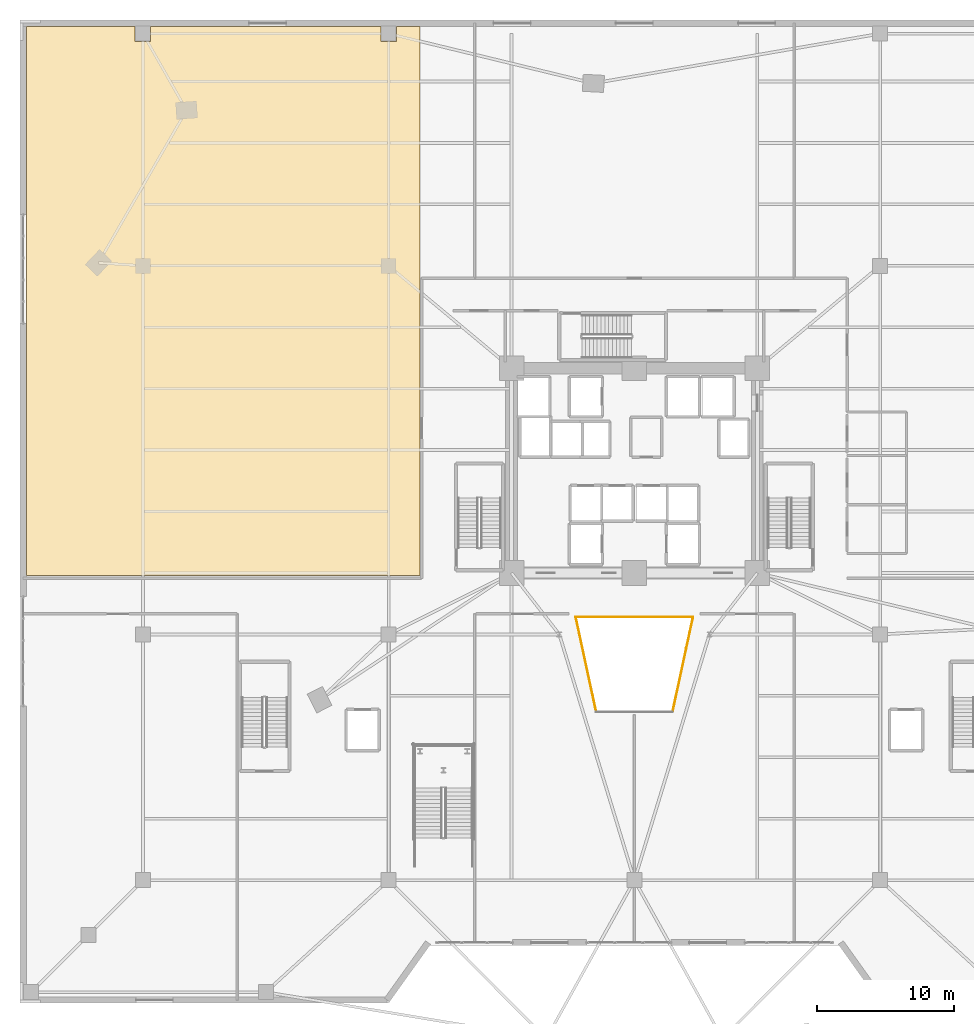
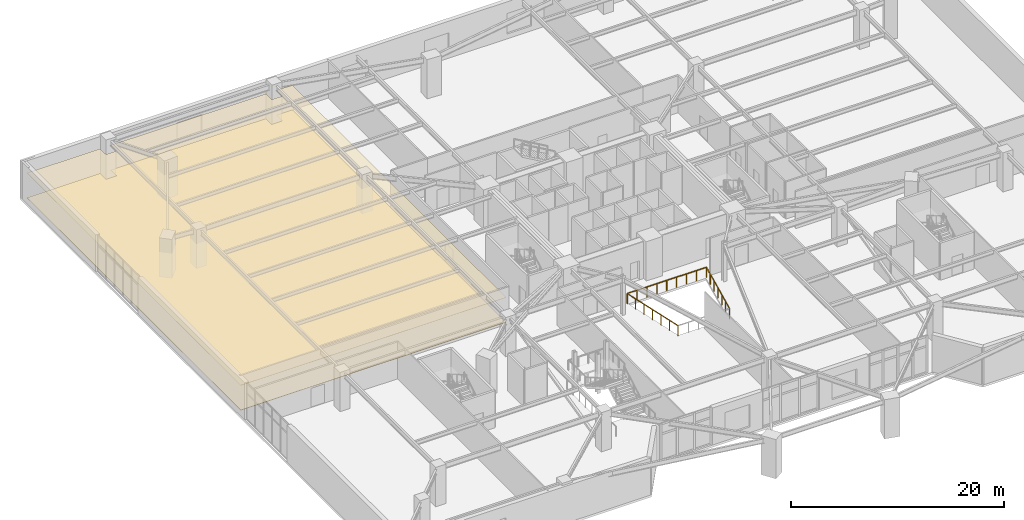
# One storey, part 26 of 29: 3 railings, 2 coverings.
"""IFC4 building model written with IfcOpenShell, lengths in metres."""

from ifc_helpers import new_model, si_unit, direction, frame, origin, origin_2d, place, context, subcontext, project, spatial, polyline, rectangle, outline, extrude, material, layer, layer_set, type_object, element, save


model = new_model("IFC4")

# Units and contexts
model_context = context("Model", 3, precision=1e-05, world=origin(), true_north=direction((0.0, 1.0)))
body_context = subcontext(model_context, "Body", "Model", "MODEL_VIEW")
ifc_project = project(units=[si_unit("LENGTHUNIT", "METRE"), si_unit("AREAUNIT", "SQUARE_METRE"), si_unit("VOLUMEUNIT", "CUBIC_METRE"), si_unit("PLANEANGLEUNIT", "RADIAN"), si_unit("MASSUNIT", "GRAM", prefix="KILO")], contexts=[model_context])

# Site, building, storey
site_placement = place(None, origin())
site = spatial("IfcSite", under=ifc_project, at=site_placement, CompositionType="ELEMENT")
building_placement = place(site_placement, origin())
building = spatial("IfcBuilding", under=site, at=building_placement, Name="Liaohun Quay Tower", CompositionType="ELEMENT")
storey_placement = place(building_placement, frame((0.0, 0.0, 5.39990234375)))
storey = spatial("IfcBuildingStorey", under=building, at=storey_placement, Name="L02", CompositionType="ELEMENT", Elevation=5.39990234375)

# Coverings
ifc_material_1 = material(Name="Mineral-fibre acoustic ceiling tile")
ifc_layer_1 = layer(ifc_material_1, 0.02490234375, Name="Mineral-fibre acoustic ceiling tile")
ifc_layer_set_1 = layer_set([ifc_layer_1], Name="Mineral-fibre acoustic ceiling tile")
covering_type_1 = type_object("IfcCoveringType", Name="COV-CEIL-ACT", PredefinedType="CEILING", material=ifc_layer_set_1)
covering_1_placement = place(storey_placement, frame((0.0, 0.0, 2.85009765625)))
element("IfcCovering", 1, at=covering_1_placement, inside=storey, type_object=covering_type_1, Name="L02 Northwest Design Showroom Acoustic Ceiling", PredefinedType="CEILING", context=body_context, shape_type="SweptSolid", body=[
    extrude(outline(polyline([(42.570068359375, 86.52001953125), (42.570068359375, 85.429931640625), (41.429931640625, 85.429931640625), (41.429931640625, 86.52001953125), (24.570068359375, 86.52001953125), (24.570068359375, 85.429931640625), (23.429931640625, 85.429931640625), (23.429931640625, 86.52001953125), (15.47998046875, 86.52001953125), (15.47998046875, 46.300048828125), (44.300048828125, 46.300048828125), (44.300048828125, 86.52001953125), (42.570068359375, 86.52001953125)])), origin(), (0.0, 0.0, 1.0), 0.02490234375),
])
ifc_material_2 = material(Name="Honed Liaodong granite floor paving", Category="masonry")
ifc_layer_2 = layer(ifc_material_2, 0.034912109375, Name="Honed Liaodong granite floor paving", Category="masonry")
ifc_layer_set_2 = layer_set([ifc_layer_2], Name="Honed Liaodong granite floor paving")
covering_type_2 = type_object("IfcCoveringType", Name="COV-FLR-STN", PredefinedType="FLOORING", material=ifc_layer_set_2)
covering_2_placement = place(storey_placement, origin())
element("IfcCovering", 2, at=covering_2_placement, inside=storey, type_object=covering_type_2, Name="L02 Northwest Design Showroom Floor Finish", PredefinedType="FLOORING", context=body_context, shape_type="SweptSolid", body=[
    extrude(outline(polyline([(42.570068359375, 86.52001953125), (42.570068359375, 85.429931640625), (41.429931640625, 85.429931640625), (41.429931640625, 86.52001953125), (24.570068359375, 86.52001953125), (24.570068359375, 85.429931640625), (23.429931640625, 85.429931640625), (23.429931640625, 86.52001953125), (15.47998046875, 86.52001953125), (15.47998046875, 46.300048828125), (44.300048828125, 46.300048828125), (44.300048828125, 86.52001953125), (42.570068359375, 86.52001953125)])), origin(), (0.0, 0.0, 1.0), 0.03515625),
])

# Railings
ifc_material_3 = material(Name="Laminated safety glass and stainless steel", Category="steel")
railing_type = type_object("IfcRailingType", Name="RLG-GUARD-ATR", PredefinedType="BALUSTRADE", material=ifc_material_3)
railing_1_placement = place(storey_placement, frame((57.205078125, 36.320068359375, 0.0)))
element("IfcRailing", 3, at=railing_1_placement, inside=storey, type_object=railing_type, Name="L02 Atrium Edge Balustrade 1", PredefinedType="BALUSTRADE", context=body_context, shape_type="SweptSolid", body=[
    extrude(rectangle(XDim=0.048095703125, YDim=0.048095703125, at=origin_2d()), frame((0.0, 0.0, 1.17578125), z_axis=(-0.211238067479, 0.977434641727, 0.0), x_axis=(-0.977434641727, -0.211238067479, 0.0)), (0.0, 0.0, 1.0), 7.12060546875),
    extrude(rectangle(XDim=0.0419921875, YDim=0.0419921875, at=origin_2d()), origin(), (0.0, 0.0, 1.0), 1.15185546875),
    extrude(rectangle(XDim=0.0419921875, YDim=0.0419921875, at=origin_2d()), frame((-0.250732421875, 1.159912109375, 0.0)), (0.0, 0.0, 1.0), 1.15185546875),
    extrude(rectangle(XDim=0.0419921875, YDim=0.0419921875, at=origin_2d()), frame((-0.50146484375, 2.320068359375, 0.0)), (0.0, 0.0, 1.0), 1.15185546875),
    extrude(rectangle(XDim=0.0419921875, YDim=0.0419921875, at=origin_2d()), frame((-0.751953125, 3.47998046875, 0.0)), (0.0, 0.0, 1.0), 1.15185546875),
    extrude(rectangle(XDim=0.0419921875, YDim=0.0419921875, at=origin_2d()), frame((-1.002685546875, 4.639892578125, 0.0)), (0.0, 0.0, 1.0), 1.15185546875),
    extrude(rectangle(XDim=0.0419921875, YDim=0.0419921875, at=origin_2d()), frame((-1.25341796875, 5.800048828125, 0.0)), (0.0, 0.0, 1.0), 1.15185546875),
    extrude(rectangle(XDim=0.0419921875, YDim=0.0419921875, at=origin_2d()), frame((-1.504150390625, 6.9599609375, 0.0)), (0.0, 0.0, 1.0), 1.15185546875),
])
railing_2_placement = place(storey_placement, frame((55.700927734375, 43.280029296875, 0.0)))
element("IfcRailing", 4, at=railing_2_placement, inside=storey, type_object=railing_type, Name="L02 Atrium Edge Balustrade 2", PredefinedType="BALUSTRADE", context=body_context, shape_type="SweptSolid", body=[
    extrude(rectangle(XDim=0.048095703125, YDim=0.048095703125, at=origin_2d()), frame((0.0, 0.0, 1.17578125), z_axis=(1.0, 0.0, 0.0), x_axis=(0.0, 1.0, 0.0)), (0.0, 0.0, 1.0), 8.59814453125),
    extrude(rectangle(XDim=0.0419921875, YDim=0.0419921875, at=origin_2d()), origin(), (0.0, 0.0, 1.0), 1.15185546875),
    extrude(rectangle(XDim=0.0419921875, YDim=0.0419921875, at=origin_2d()), frame((1.07470703125, 0.0, 0.0)), (0.0, 0.0, 1.0), 1.15185546875),
    extrude(rectangle(XDim=0.0419921875, YDim=0.0419921875, at=origin_2d()), frame((2.1494140625, 0.0, 0.0)), (0.0, 0.0, 1.0), 1.15185546875),
    extrude(rectangle(XDim=0.0419921875, YDim=0.0419921875, at=origin_2d()), frame((3.224365234375, 0.0, 0.0)), (0.0, 0.0, 1.0), 1.15185546875),
    extrude(rectangle(XDim=0.0419921875, YDim=0.0419921875, at=origin_2d()), frame((4.299072265625, 0.0, 0.0)), (0.0, 0.0, 1.0), 1.15185546875),
    extrude(rectangle(XDim=0.0419921875, YDim=0.0419921875, at=origin_2d()), frame((5.373779296875, 0.0, 0.0)), (0.0, 0.0, 1.0), 1.15185546875),
    extrude(rectangle(XDim=0.0419921875, YDim=0.0419921875, at=origin_2d()), frame((6.44873046875, 0.0, 0.0)), (0.0, 0.0, 1.0), 1.15185546875),
    extrude(rectangle(XDim=0.0419921875, YDim=0.0419921875, at=origin_2d()), frame((7.5234375, 0.0, 0.0)), (0.0, 0.0, 1.0), 1.15185546875),
    extrude(rectangle(XDim=0.0419921875, YDim=0.0419921875, at=origin_2d()), frame((8.59814453125, 0.0, 0.0)), (0.0, 0.0, 1.0), 1.15185546875),
])
railing_3_placement = place(storey_placement, frame((64.299072265625, 43.280029296875, 0.0)))
element("IfcRailing", 5, at=railing_3_placement, inside=storey, type_object=railing_type, Name="L02 Atrium Edge Balustrade 3", PredefinedType="BALUSTRADE", context=body_context, shape_type="SweptSolid", body=[
    extrude(rectangle(XDim=0.048095703125, YDim=0.048095703125, at=origin_2d()), frame((0.0, 0.0, 1.17578125), z_axis=(-0.211238067479, -0.977434641727, 0.0), x_axis=(0.977434641727, -0.211238067479, 0.0)), (0.0, 0.0, 1.0), 7.12060546875),
    extrude(rectangle(XDim=0.0419921875, YDim=0.0419921875, at=origin_2d()), origin(), (0.0, 0.0, 1.0), 1.15185546875),
    extrude(rectangle(XDim=0.0419921875, YDim=0.0419921875, at=origin_2d()), frame((-0.250732421875, -1.159912109375, 0.0)), (0.0, 0.0, 1.0), 1.15185546875),
    extrude(rectangle(XDim=0.0419921875, YDim=0.0419921875, at=origin_2d()), frame((-0.50146484375, -2.320068359375, 0.0)), (0.0, 0.0, 1.0), 1.15185546875),
    extrude(rectangle(XDim=0.0419921875, YDim=0.0419921875, at=origin_2d()), frame((-0.751953125, -3.47998046875, 0.0)), (0.0, 0.0, 1.0), 1.15185546875),
    extrude(rectangle(XDim=0.0419921875, YDim=0.0419921875, at=origin_2d()), frame((-1.002685546875, -4.639892578125, 0.0)), (0.0, 0.0, 1.0), 1.15185546875),
    extrude(rectangle(XDim=0.0419921875, YDim=0.0419921875, at=origin_2d()), frame((-1.25341796875, -5.800048828125, 0.0)), (0.0, 0.0, 1.0), 1.15185546875),
    extrude(rectangle(XDim=0.0419921875, YDim=0.0419921875, at=origin_2d()), frame((-1.504150390625, -6.9599609375, 0.0)), (0.0, 0.0, 1.0), 1.15185546875),
])

save(model, "model.ifc")
